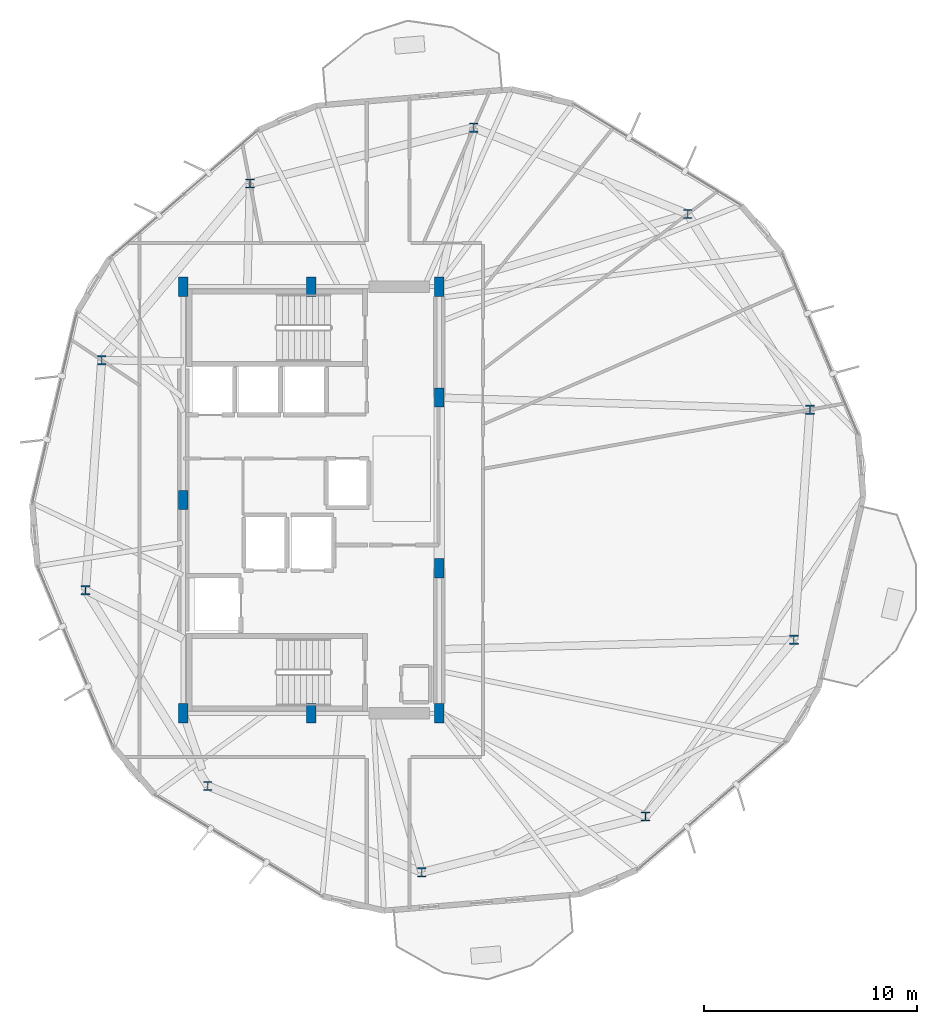
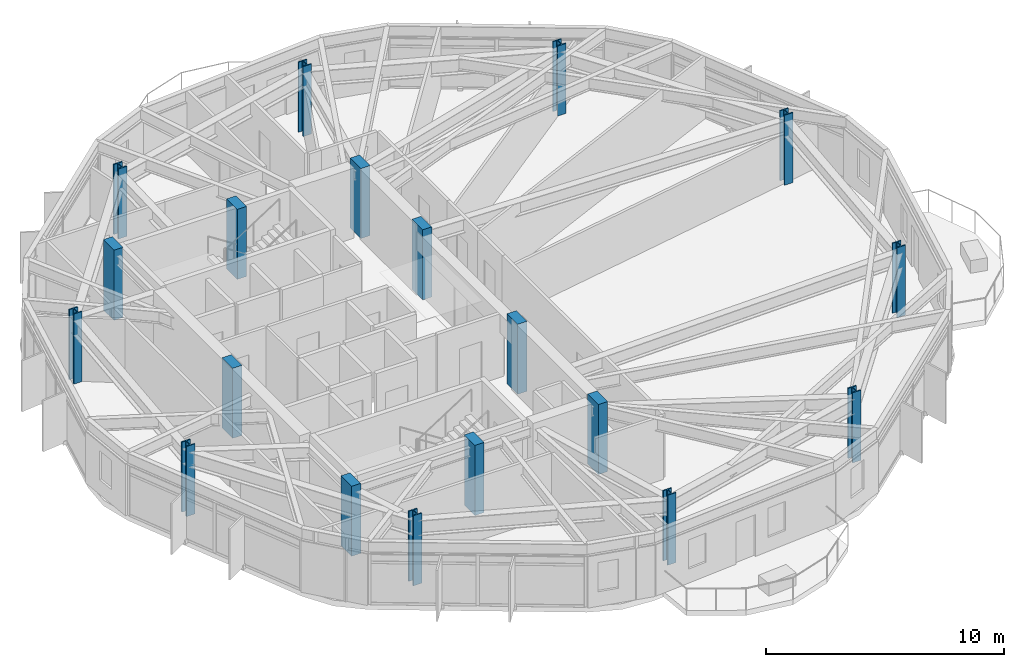
# One storey, part 1 of 27: 19 columns.
"""IFC4 building model written with IfcOpenShell, lengths in metres."""

from ifc_helpers import new_model, si_unit, direction, frame, origin, origin_2d, place, context, subcontext, project, spatial, rectangle, i_section, extrude, material, material_profile, profile_set, type_object, element, save


model = new_model("IFC4")

# Units and contexts
model_context = context("Model", 3, precision=1e-05, world=origin(), true_north=direction((0.0, 1.0)))
body_context = subcontext(model_context, "Body", "Model", "MODEL_VIEW")
ifc_project = project(units=[si_unit("LENGTHUNIT", "METRE"), si_unit("AREAUNIT", "SQUARE_METRE"), si_unit("VOLUMEUNIT", "CUBIC_METRE"), si_unit("PLANEANGLEUNIT", "RADIAN"), si_unit("MASSUNIT", "GRAM", prefix="KILO")], contexts=[model_context])

# Site, building, storey
site_placement = place(None, origin())
site = spatial("IfcSite", under=ifc_project, at=site_placement, CompositionType="ELEMENT")
building_placement = place(site_placement, origin())
building = spatial("IfcBuilding", under=site, at=building_placement, Name="Soratama Intermodal Tower", CompositionType="ELEMENT")
storey_placement = place(building_placement, frame((0.0, 0.0, 182.199951171875)))
storey = spatial("IfcBuildingStorey", under=building, at=storey_placement, Name="L45", CompositionType="ELEMENT", Elevation=182.199951171875)

# Columns
ifc_material_1 = material(Name="Structural steel ASTM A992 Grade 50", Category="steel")
ifc_material_profile_1 = material_profile(ifc_material_1, i_section(OverallWidth=0.412109375, OverallDepth=0.43505859375, WebThickness=0.035888671875, FlangeThickness=0.057373046875, FilletRadius=0.0380859375, at=origin_2d()), Name="W14X311")
ifc_profile_set_1 = profile_set([ifc_material_profile_1], Name="Structural steel ASTM A992 Grade 50")
column_type_1 = type_object("IfcColumnType", Name="COL-ZC-W14X311", PredefinedType="COLUMN", material=ifc_profile_set_1)
for number, where, z_axis, x_axis, name in (
    (1, (61.980224609375, 29.233642578125, 0.0), (0.0, 0.0, 1.0), (1.0, 0.0, 0.0), "L45 Tower Ring Column R01"),
    (2, (56.248779296875, 38.40576171875, 0.0), (0.0, 0.0, 1.0), (1.0, 0.0, 0.0), "L45 Tower Ring Column R02"),
    (3, (46.220703125, 42.45751953125, 0.0), (0.0, 0.0, 1.0), (1.0, 0.0, 0.0), "L45 Tower Ring Column R03"),
    (4, (35.726318359375, 39.8408203125, 0.0), (0.0, 0.0, 1.0), (1.0, 0.0, 0.0), "L45 Tower Ring Column R04"),
    (5, (28.7744140625, 31.5556640625, 0.0), (0.0, 0.0, 1.0), (1.0, 0.0, 0.0), "L45 Tower Ring Column R05"),
    (6, (28.019775390625, 20.766357421875, 0.0), (0.0, 0.0, 1.0), (1.0, 0.0, 0.0), "L45 Tower Ring Column R06"),
    (7, (33.751220703125, 11.59423828125, 0.0), (0.0, 0.0, 1.0), (1.0, 0.0, 0.0), "L45 Tower Ring Column R07"),
    (8, (43.779296875, 7.54248046875, 0.0), (0.0, 0.0, 1.0), (1.0, 0.0, 0.0), "L45 Tower Ring Column R08"),
    (9, (54.273681640625, 10.1591796875, 0.0), (0.0, 0.0, 1.0), (1.0, 0.0, 0.0), "L45 Tower Ring Column R09"),
    (10, (61.2255859375, 18.4443359375, 0.0), (0.0, 0.0, 1.0), (1.0, 0.0, 0.0), "L45 Tower Ring Column R10"),
):
    element("IfcColumn", number, at=place(storey_placement, frame(where, z_axis=z_axis, x_axis=x_axis)), inside=storey, type_object=column_type_1, Name=name, PredefinedType="COLUMN", context=body_context, shape_type="SweptSolid", body=[
        extrude(i_section(OverallWidth=0.412109375, OverallDepth=0.43505859375, WebThickness=0.035888671875, FlangeThickness=0.057373046875, FilletRadius=0.0380859375, at=origin_2d()), origin(), (0.0, 0.0, 1.0), 3.60009765625),
    ])
ifc_material_2 = material(Name="Concrete f'c 56 MPa", Category="concrete")
ifc_material_profile_2 = material_profile(ifc_material_2, rectangle(XDim=0.449951171875, YDim=0.89990234375, at=origin_2d()), Name="RC450X900")
ifc_profile_set_2 = profile_set([ifc_material_profile_2], Name="Concrete f'c 56 MPa")
column_type_2 = type_object("IfcColumnType", Name="PIL-CORE-450X900", PredefinedType="PILASTER", material=ifc_profile_set_2)
for number, where, z_axis, x_axis, name in (
    (11, (32.60009765625, 15.0, 0.0), (0.0, 0.0, 1.0), (1.0, 0.0, 0.0), "L45 Core Pilaster 1"),
    (12, (32.60009765625, 25.0, 0.0), (0.0, 0.0, 1.0), (1.0, 0.0, 0.0), "L45 Core Pilaster 2"),
    (13, (32.60009765625, 35.0, 0.0), (0.0, 0.0, 1.0), (1.0, 0.0, 0.0), "L45 Core Pilaster 3"),
    (14, (38.60009765625, 15.0, 0.0), (0.0, 0.0, 1.0), (1.0, 0.0, 0.0), "L45 Core Pilaster 4"),
    (15, (38.60009765625, 35.0, 0.0), (0.0, 0.0, 1.0), (1.0, 0.0, 0.0), "L45 Core Pilaster 5"),
    (16, (44.60009765625, 15.0, 0.0), (0.0, 0.0, 1.0), (1.0, 0.0, 0.0), "L45 Core Pilaster 6"),
    (17, (44.60009765625, 21.800048828125, 0.0), (0.0, 0.0, 1.0), (1.0, 0.0, 0.0), "L45 Core Pilaster 7"),
    (18, (44.60009765625, 29.800048828125, 0.0), (0.0, 0.0, 1.0), (1.0, 0.0, 0.0), "L45 Core Pilaster 8"),
    (19, (44.60009765625, 35.0, 0.0), (0.0, 0.0, 1.0), (1.0, 0.0, 0.0), "L45 Core Pilaster 9"),
):
    element("IfcColumn", number, at=place(storey_placement, frame(where, z_axis=z_axis, x_axis=x_axis)), inside=storey, type_object=column_type_2, Name=name, PredefinedType="PILASTER", context=body_context, shape_type="SweptSolid", body=[
        extrude(rectangle(XDim=0.449951171875, YDim=0.89990234375, at=origin_2d()), origin(), (0.0, 0.0, 1.0), 3.60009765625),
    ])

save(model, "model.ifc")
